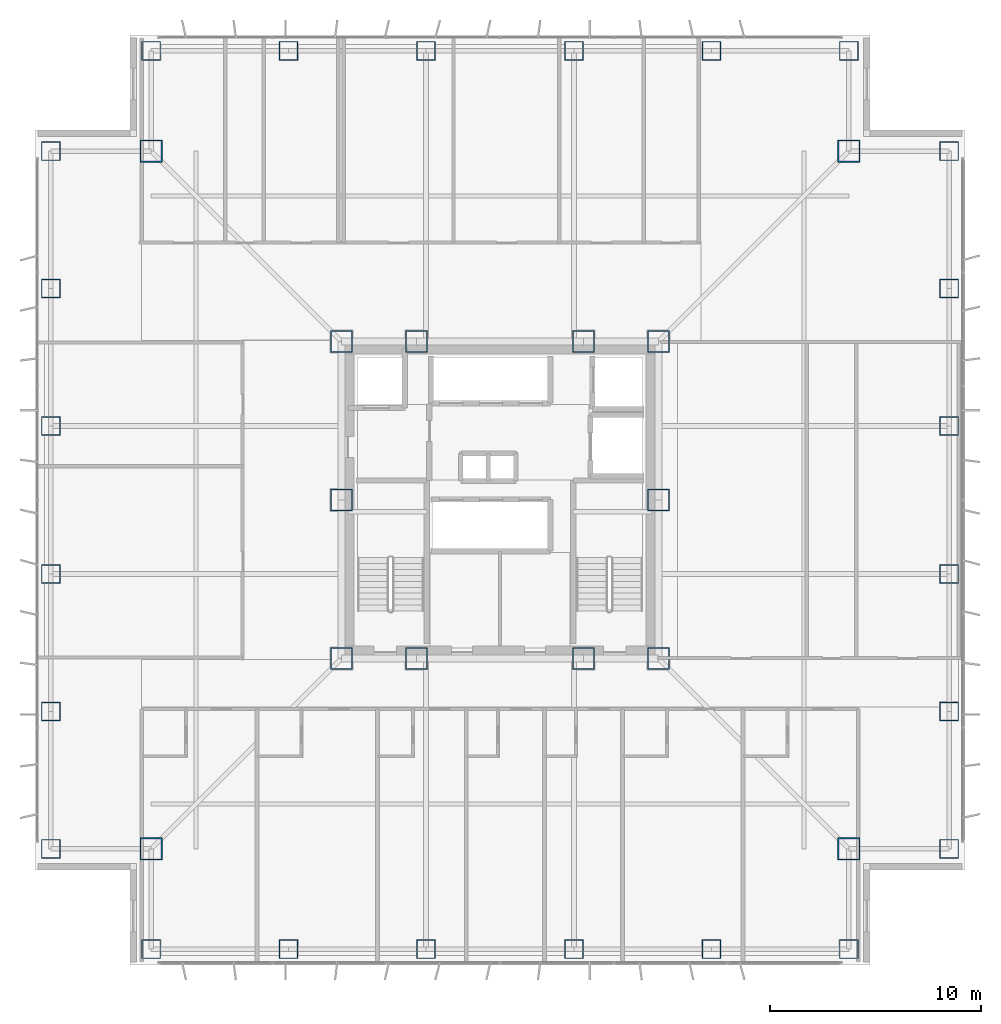
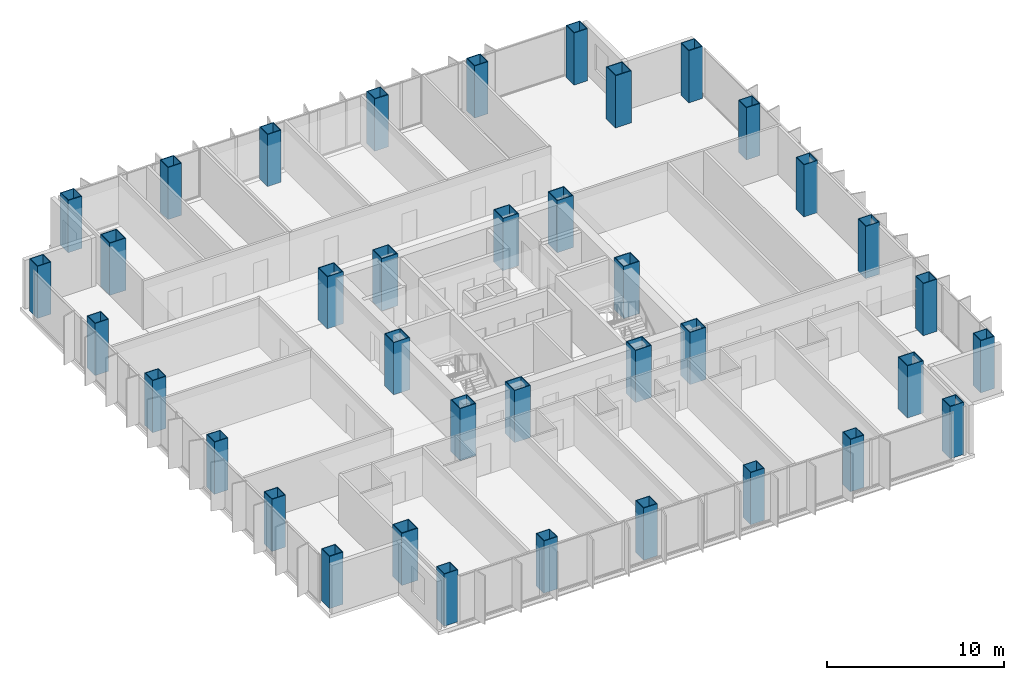
# One storey, part 1 of 18: 38 columns.
"""IFC4 building model written with IfcOpenShell, lengths in metres."""

from ifc_helpers import new_model, si_unit, direction, frame, origin, origin_2d, place, context, subcontext, project, spatial, hollow_rectangle, extrude, material, material_profile, profile_set, type_object, element, save


model = new_model("IFC4")

# Units and contexts
model_context = context("Model", 3, precision=1e-05, world=origin(), true_north=direction((0.0, 1.0)))
body_context = subcontext(model_context, "Body", "Model", "MODEL_VIEW")
ifc_project = project(units=[si_unit("LENGTHUNIT", "METRE"), si_unit("AREAUNIT", "SQUARE_METRE"), si_unit("VOLUMEUNIT", "CUBIC_METRE"), si_unit("PLANEANGLEUNIT", "RADIAN"), si_unit("MASSUNIT", "GRAM", prefix="KILO")], contexts=[model_context])

# Site, building, storey
site_placement = place(None, origin())
site = spatial("IfcSite", under=ifc_project, at=site_placement, CompositionType="ELEMENT")
building_placement = place(site_placement, origin())
building = spatial("IfcBuilding", under=site, at=building_placement, Name="Trevonay Congress Spire", CompositionType="ELEMENT")
storey_placement = place(building_placement, frame((0.0, 0.0, 148.0)))
storey = spatial("IfcBuildingStorey", under=building, at=storey_placement, Name="L38", CompositionType="ELEMENT", Elevation=148.0)

# Columns
ifc_material = material(Name="Steel ASTM A572 Grade 50", Category="steel")
ifc_material_profile_1 = material_profile(ifc_material, hollow_rectangle(XDim=1.050048828125, YDim=1.050048828125, WallThickness=0.050048828125, at=origin_2d()), Name="BOX 1050x1050x50")
ifc_profile_set_1 = profile_set([ifc_material_profile_1], Name="Steel ASTM A572 Grade 50")
column_type_1 = type_object("IfcColumnType", Name="COL-CORE-BOX1050", PredefinedType="COLUMN", material=ifc_profile_set_1)
for number, where, z_axis, x_axis, name in (
    (1, (-7.5, -7.5, 0.0), (0.0, 0.0, 1.0), (1.0, 0.0, 0.0), "L38 column C03 at CC-SW"),
    (2, (-3.949951171875, -7.5, 0.0), (0.0, 0.0, 1.0), (1.0, 0.0, 0.0), "L38 column C03 at CC-SMW"),
    (3, (3.949951171875, -7.5, 0.0), (0.0, 0.0, 1.0), (1.0, 0.0, 0.0), "L38 column C03 at CC-SME"),
    (4, (7.5, -7.5, 0.0), (0.0, 0.0, 1.0), (1.0, 0.0, 0.0), "L38 column C03 at CC-SE"),
    (5, (7.5, 0.0, 0.0), (0.0, 0.0, 1.0), (1.0, 0.0, 0.0), "L38 column C03 at CC-E"),
    (6, (7.5, 7.5, 0.0), (0.0, 0.0, 1.0), (1.0, 0.0, 0.0), "L38 column C03 at CC-NE"),
    (7, (3.949951171875, 7.5, 0.0), (0.0, 0.0, 1.0), (1.0, 0.0, 0.0), "L38 column C03 at CC-NME"),
    (8, (-3.949951171875, 7.5, 0.0), (0.0, 0.0, 1.0), (1.0, 0.0, 0.0), "L38 column C03 at CC-NMW"),
    (9, (-7.5, 7.5, 0.0), (0.0, 0.0, 1.0), (1.0, 0.0, 0.0), "L38 column C03 at CC-NW"),
    (10, (-7.5, 0.0, 0.0), (0.0, 0.0, 1.0), (1.0, 0.0, 0.0), "L38 column C03 at CC-W"),
):
    element("IfcColumn", number, at=place(storey_placement, frame(where, z_axis=z_axis, x_axis=x_axis)), inside=storey, type_object=column_type_1, Name=name, PredefinedType="COLUMN", context=body_context, shape_type="SweptSolid", body=[
        extrude(hollow_rectangle(XDim=1.050048828125, YDim=1.050048828125, WallThickness=0.050048828125, at=origin_2d()), origin(), (0.0, 0.0, 1.0), 3.60009765625),
    ])
ifc_material_profile_2 = material_profile(ifc_material, hollow_rectangle(XDim=1.050048828125, YDim=1.050048828125, WallThickness=0.050048828125, at=origin_2d()), Name="BOX 1050x1050x50")
ifc_profile_set_2 = profile_set([ifc_material_profile_2], Name="Steel ASTM A572 Grade 50")
column_type_2 = type_object("IfcColumnType", Name="COL-TUBE-BOX1050", PredefinedType="COLUMN", material=ifc_profile_set_2)
for number, where, z_axis, x_axis, name in (
    (11, (-16.5, -16.5, 0.0), (0.0, 0.0, 1.0), (1.0, 0.0, 0.0), "L38 column C14 at NC-SW"),
    (12, (16.5, -16.5, 0.0), (0.0, 0.0, 1.0), (1.0, 0.0, 0.0), "L38 column C14 at NC-SE"),
    (13, (16.5, 16.5, 0.0), (0.0, 0.0, 1.0), (1.0, 0.0, 0.0), "L38 column C14 at NC-NE"),
    (14, (-16.5, 16.5, 0.0), (0.0, 0.0, 1.0), (1.0, 0.0, 0.0), "L38 column C14 at NC-NW"),
):
    element("IfcColumn", number, at=place(storey_placement, frame(where, z_axis=z_axis, x_axis=x_axis)), inside=storey, type_object=column_type_2, Name=name, PredefinedType="COLUMN", context=body_context, shape_type="SweptSolid", body=[
        extrude(hollow_rectangle(XDim=1.050048828125, YDim=1.050048828125, WallThickness=0.050048828125, at=origin_2d()), origin(), (0.0, 0.0, 1.0), 3.60009765625),
    ])
ifc_material_profile_3 = material_profile(ifc_material, hollow_rectangle(XDim=0.89990234375, YDim=0.89990234375, WallThickness=0.044921875, at=origin_2d()), Name="BOX 900x900x45")
ifc_profile_set_3 = profile_set([ifc_material_profile_3], Name="Steel ASTM A572 Grade 50")
column_type_3 = type_object("IfcColumnType", Name="COL-TUBE-BOX900", PredefinedType="COLUMN", material=ifc_profile_set_3)
for number, where, z_axis, x_axis, name in (
    (15, (-16.5, -21.25, 0.0), (0.0, 0.0, 1.0), (1.0, 0.0, 0.0), "L38 column C15 at TS-1"),
    (16, (-16.5, 21.25, 0.0), (0.0, 0.0, 1.0), (1.0, 0.0, 0.0), "L38 column C15 at TN-1"),
    (17, (-21.25, -16.5, 0.0), (0.0, 0.0, 1.0), (1.0, 0.0, 0.0), "L38 column C15 at TW-1"),
    (18, (21.25, -16.5, 0.0), (0.0, 0.0, 1.0), (1.0, 0.0, 0.0), "L38 column C15 at TE-1"),
    (19, (-10.0, -21.25, 0.0), (0.0, 0.0, 1.0), (1.0, 0.0, 0.0), "L38 column C15 at TS-2"),
    (20, (-10.0, 21.25, 0.0), (0.0, 0.0, 1.0), (1.0, 0.0, 0.0), "L38 column C15 at TN-2"),
    (21, (-21.25, -10.0, 0.0), (0.0, 0.0, 1.0), (1.0, 0.0, 0.0), "L38 column C15 at TW-2"),
    (22, (21.25, -10.0, 0.0), (0.0, 0.0, 1.0), (1.0, 0.0, 0.0), "L38 column C15 at TE-2"),
    (23, (-3.5, -21.25, 0.0), (0.0, 0.0, 1.0), (1.0, 0.0, 0.0), "L38 column C15 at TS-3"),
    (24, (-3.5, 21.25, 0.0), (0.0, 0.0, 1.0), (1.0, 0.0, 0.0), "L38 column C15 at TN-3"),
    (25, (-21.25, -3.5, 0.0), (0.0, 0.0, 1.0), (1.0, 0.0, 0.0), "L38 column C15 at TW-3"),
    (26, (21.25, -3.5, 0.0), (0.0, 0.0, 1.0), (1.0, 0.0, 0.0), "L38 column C15 at TE-3"),
    (27, (3.5, -21.25, 0.0), (0.0, 0.0, 1.0), (1.0, 0.0, 0.0), "L38 column C15 at TS-4"),
    (28, (3.5, 21.25, 0.0), (0.0, 0.0, 1.0), (1.0, 0.0, 0.0), "L38 column C15 at TN-4"),
    (29, (-21.25, 3.5, 0.0), (0.0, 0.0, 1.0), (1.0, 0.0, 0.0), "L38 column C15 at TW-4"),
    (30, (21.25, 3.5, 0.0), (0.0, 0.0, 1.0), (1.0, 0.0, 0.0), "L38 column C15 at TE-4"),
    (31, (10.0, -21.25, 0.0), (0.0, 0.0, 1.0), (1.0, 0.0, 0.0), "L38 column C15 at TS-5"),
    (32, (10.0, 21.25, 0.0), (0.0, 0.0, 1.0), (1.0, 0.0, 0.0), "L38 column C15 at TN-5"),
    (33, (-21.25, 10.0, 0.0), (0.0, 0.0, 1.0), (1.0, 0.0, 0.0), "L38 column C15 at TW-5"),
    (34, (21.25, 10.0, 0.0), (0.0, 0.0, 1.0), (1.0, 0.0, 0.0), "L38 column C15 at TE-5"),
    (35, (16.5, -21.25, 0.0), (0.0, 0.0, 1.0), (1.0, 0.0, 0.0), "L38 column C15 at TS-6"),
    (36, (16.5, 21.25, 0.0), (0.0, 0.0, 1.0), (1.0, 0.0, 0.0), "L38 column C15 at TN-6"),
    (37, (-21.25, 16.5, 0.0), (0.0, 0.0, 1.0), (1.0, 0.0, 0.0), "L38 column C15 at TW-6"),
    (38, (21.25, 16.5, 0.0), (0.0, 0.0, 1.0), (1.0, 0.0, 0.0), "L38 column C15 at TE-6"),
):
    element("IfcColumn", number, at=place(storey_placement, frame(where, z_axis=z_axis, x_axis=x_axis)), inside=storey, type_object=column_type_3, Name=name, PredefinedType="COLUMN", context=body_context, shape_type="SweptSolid", body=[
        extrude(hollow_rectangle(XDim=0.89990234375, YDim=0.89990234375, WallThickness=0.044921875, at=origin_2d()), origin(), (0.0, 0.0, 1.0), 3.60009765625),
    ])

save(model, "model.ifc")
